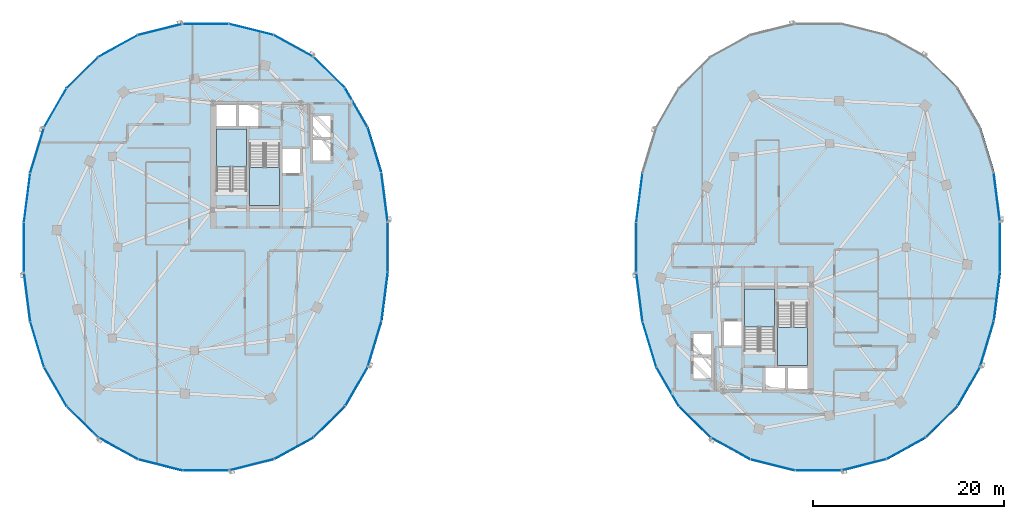
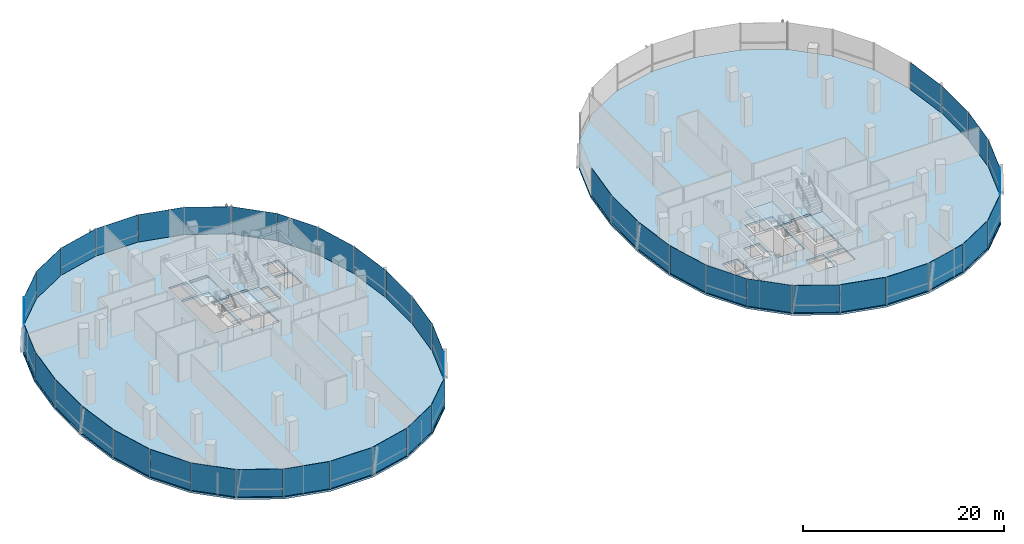
# One storey, part 10 of 22: 45 plates, 6 slabs, 12 elements without a shape of their own.
"""IFC4 building model written with IfcOpenShell, lengths in metres."""

from ifc_helpers import new_model, si_unit, direction, frame, origin, origin_2d, place, context, subcontext, project, spatial, polyline, rectangle, outline, extrude, material, layer, layer_set, type_object, element, aggregate, save


model = new_model("IFC4")

# Units and contexts
model_context = context("Model", 3, precision=1e-05, world=origin(), true_north=direction((0.0, 1.0)))
body_context = subcontext(model_context, "Body", "Model", "MODEL_VIEW")
ifc_project = project(units=[si_unit("LENGTHUNIT", "METRE"), si_unit("AREAUNIT", "SQUARE_METRE"), si_unit("VOLUMEUNIT", "CUBIC_METRE"), si_unit("PLANEANGLEUNIT", "RADIAN"), si_unit("MASSUNIT", "GRAM", prefix="KILO"), si_unit("THERMODYNAMICTEMPERATUREUNIT", "KELVIN"), si_unit("POWERUNIT", "WATT")], contexts=[model_context])

# Site, building, storey
site_placement = place(None, origin())
site = spatial("IfcSite", under=ifc_project, at=site_placement, CompositionType="ELEMENT")
building_placement = place(site_placement, origin())
building = spatial("IfcBuilding", under=site, at=building_placement, Name="Cundina Bronze Exchange", CompositionType="ELEMENT")
storey_placement = place(building_placement, frame((0.0, 0.0, 144.0)))
storey = spatial("IfcBuildingStorey", under=building, at=storey_placement, Name="L37", CompositionType="ELEMENT", Elevation=144.0)

# Curtain wall, plates
ifc_material_1 = material(Name="Anodised Bronze Aluminium 6063-T6", Category="aluminium")
curtain_wall_type = type_object("IfcCurtainWallType", Name="CWS-WST-PIN", PredefinedType="NOTDEFINED", material=ifc_material_1)
curtain_wall_1_placement = place(storey_placement, origin())
curtain_wall_1 = element("IfcCurtainWall", 1, at=curtain_wall_1_placement, inside=storey, type_object=curtain_wall_type, Name="L37 CW-04 Curtain Wall Run CWR-L37-W1", PredefinedType="NOTDEFINED")
ifc_material_2 = material(Name="Heat-Strengthened Solar-Control Bronze Safety Glass 28mm", Category="glass")
ifc_layer_1 = layer(ifc_material_2, 0.028076171875, Name="Heat-Strengthened Solar-Control Bronze Safety Glass 28mm", Category="glass")
ifc_layer_set_1 = layer_set([ifc_layer_1], Name="Heat-Strengthened Solar-Control Bronze Safety Glass 28mm")
plate_type_1 = type_object("IfcPlateType", Name="PLT-GLZ-VIS28", PredefinedType="CURTAIN_PANEL", material=ifc_layer_set_1)
plate_1_placement = place(storey_placement, frame((-13.320556640625, 5.2041015625, 0.02001953125), z_axis=(0.0, 0.0, 1.0), x_axis=(-0.126475984253, 0.9919696696, 0.0)))
plate_1 = element("IfcPlate", 2, at=plate_1_placement, type_object=plate_type_1, Name="CW-04 Glazed Panel 1", PredefinedType="CURTAIN_PANEL", context=body_context, shape_type="SweptSolid", body=[
    extrude(rectangle(XDim=5.104736328125, YDim=0.028076171875, at=origin_2d()), origin(), (0.0, 0.0, 1.0), 3.320068359375),
])
plate_2_placement = place(storey_placement, frame((-14.36669921875, 10.14208984375, 0.02001953125), z_axis=(0.0, 0.0, 1.0), x_axis=(-0.290050843957, 0.957011237092, 0.0)))
plate_2 = element("IfcPlate", 3, at=plate_2_placement, type_object=plate_type_1, Name="CW-04 Glazed Panel 2", PredefinedType="CURTAIN_PANEL", context=body_context, shape_type="SweptSolid", body=[
    extrude(rectangle(XDim=4.885009765625, YDim=0.028076171875, at=origin_2d()), origin(), (0.0, 0.0, 1.0), 3.320068359375),
])
plate_3_placement = place(storey_placement, frame((-19.105224609375, 18.253662109375, 0.02001953125), z_axis=(0.0, 0.0, 1.0), x_axis=(-0.711989280367, 0.702190333629, 0.0)))
plate_3 = element("IfcPlate", 4, at=plate_3_placement, type_object=plate_type_1, Name="CW-04 Glazed Panel 4", PredefinedType="CURTAIN_PANEL", context=body_context, shape_type="SweptSolid", body=[
    extrude(rectangle(XDim=4.6025390625, YDim=0.028076171875, at=origin_2d()), origin(), (0.0, 0.0, 1.0), 3.320068359375),
])
plate_4_placement = place(storey_placement, frame((-22.83154296875, 21.02880859375, 0.02001953125), z_axis=(0.0, 0.0, 1.0), x_axis=(-0.875869093438, 0.482548786301, 0.0)))
plate_4 = element("IfcPlate", 5, at=plate_4_placement, type_object=plate_type_1, Name="CW-04 Glazed Panel 5", PredefinedType="CURTAIN_PANEL", context=body_context, shape_type="SweptSolid", body=[
    extrude(rectangle(XDim=4.661865234375, YDim=0.028076171875, at=origin_2d()), origin(), (0.0, 0.0, 1.0), 3.320068359375),
])
plate_5_placement = place(storey_placement, frame((-27.23486328125, 22.75244140625, 0.02001953125), z_axis=(0.0, 0.0, 1.0), x_axis=(-0.970092713791, 0.242734683656, 0.0)))
plate_5 = element("IfcPlate", 6, at=plate_5_placement, type_object=plate_type_1, Name="CW-04 Glazed Panel 6", PredefinedType="CURTAIN_PANEL", context=body_context, shape_type="SweptSolid", body=[
    extrude(rectangle(XDim=4.7548828125, YDim=0.028076171875, at=origin_2d()), origin(), (0.0, 0.0, 1.0), 3.320068359375),
])
plate_6_placement = place(storey_placement, frame((-32.0, 23.3369140625, 0.02001953125), z_axis=(0.0, 0.0, 1.0), x_axis=(-1.0, 0.0, 0.0)))
plate_6 = element("IfcPlate", 7, at=plate_6_placement, type_object=plate_type_1, Name="CW-04 Glazed Panel 7", PredefinedType="CURTAIN_PANEL", context=body_context, shape_type="SweptSolid", body=[
    extrude(rectangle(XDim=4.7958984375, YDim=0.028076171875, at=origin_2d()), origin(), (0.0, 0.0, 1.0), 3.320068359375),
])

curtain_wall_2_placement = place(storey_placement, origin())
curtain_wall_2 = element("IfcCurtainWall", 8, at=curtain_wall_2_placement, inside=storey, type_object=curtain_wall_type, Name="L37 CW-04 Curtain Wall Run CWR-L37-W2", PredefinedType="NOTDEFINED")
plate_7_placement = place(storey_placement, frame((-36.76513671875, 22.75244140625, 0.02001953125), z_axis=(0.0, 0.0, 1.0), x_axis=(-0.970092713791, -0.242734683656, 0.0)))
plate_7 = element("IfcPlate", 9, at=plate_7_placement, type_object=plate_type_1, Name="CW-04 Glazed Panel 1", PredefinedType="CURTAIN_PANEL", context=body_context, shape_type="SweptSolid", body=[
    extrude(rectangle(XDim=4.7548828125, YDim=0.028076171875, at=origin_2d()), origin(), (0.0, 0.0, 1.0), 3.320068359375),
])
plate_8_placement = place(storey_placement, frame((-44.894775390625, 18.253662109375, 0.02001953125), z_axis=(0.0, 0.0, 1.0), x_axis=(-0.711989280367, -0.702190333629, 0.0)))
plate_8 = element("IfcPlate", 10, at=plate_8_placement, type_object=plate_type_1, Name="CW-04 Glazed Panel 3", PredefinedType="CURTAIN_PANEL", context=body_context, shape_type="SweptSolid", body=[
    extrude(rectangle(XDim=4.6025390625, YDim=0.028076171875, at=origin_2d()), origin(), (0.0, 0.0, 1.0), 3.320068359375),
])
plate_9_placement = place(storey_placement, frame((-47.734375, 14.564697265625, 0.02001953125), z_axis=(0.0, 0.0, 1.0), x_axis=(-0.498487739754, -0.866896748936, 0.0)))
plate_9 = element("IfcPlate", 11, at=plate_9_placement, type_object=plate_type_1, Name="CW-04 Glazed Panel 4", PredefinedType="CURTAIN_PANEL", context=body_context, shape_type="SweptSolid", body=[
    extrude(rectangle(XDim=4.676513671875, YDim=0.028076171875, at=origin_2d()), origin(), (0.0, 0.0, 1.0), 3.320068359375),
])
plate_10_placement = place(storey_placement, frame((-49.63330078125, 10.14208984375, 0.02001953125), z_axis=(0.0, 0.0, 1.0), x_axis=(-0.290050843957, -0.957011237092, 0.0)))
plate_10 = element("IfcPlate", 12, at=plate_10_placement, type_object=plate_type_1, Name="CW-04 Glazed Panel 5", PredefinedType="CURTAIN_PANEL", context=body_context, shape_type="SweptSolid", body=[
    extrude(rectangle(XDim=4.885009765625, YDim=0.028076171875, at=origin_2d()), origin(), (0.0, 0.0, 1.0), 3.320068359375),
])
plate_11_placement = place(storey_placement, frame((-50.679443359375, 5.2041015625, 0.02001953125), z_axis=(0.0, 0.0, 1.0), x_axis=(-0.126475984253, -0.9919696696, 0.0)))
plate_11 = element("IfcPlate", 13, at=plate_11_placement, type_object=plate_type_1, Name="CW-04 Glazed Panel 6", PredefinedType="CURTAIN_PANEL", context=body_context, shape_type="SweptSolid", body=[
    extrude(rectangle(XDim=5.104736328125, YDim=0.028076171875, at=origin_2d()), origin(), (0.0, 0.0, 1.0), 3.320068359375),
])

curtain_wall_3_placement = place(storey_placement, origin())
curtain_wall_3 = element("IfcCurtainWall", 14, at=curtain_wall_3_placement, inside=storey, type_object=curtain_wall_type, Name="L37 CW-04 Curtain Wall Run CWR-L37-W3", PredefinedType="NOTDEFINED")
plate_12_placement = place(storey_placement, frame((-49.63330078125, -10.14208984375, 0.02001953125), z_axis=(0.0, 0.0, 1.0), x_axis=(0.290050843957, -0.957011237092, 0.0)))
plate_12 = element("IfcPlate", 15, at=plate_12_placement, type_object=plate_type_1, Name="CW-04 Glazed Panel 2", PredefinedType="CURTAIN_PANEL", context=body_context, shape_type="SweptSolid", body=[
    extrude(rectangle(XDim=4.885009765625, YDim=0.028076171875, at=origin_2d()), origin(), (0.0, 0.0, 1.0), 3.320068359375),
])
plate_13_placement = place(storey_placement, frame((-47.734375, -14.564697265625, 0.02001953125), z_axis=(0.0, 0.0, 1.0), x_axis=(0.498487739754, -0.866896748936, 0.0)))
plate_13 = element("IfcPlate", 16, at=plate_13_placement, type_object=plate_type_1, Name="CW-04 Glazed Panel 3", PredefinedType="CURTAIN_PANEL", context=body_context, shape_type="SweptSolid", body=[
    extrude(rectangle(XDim=4.676513671875, YDim=0.028076171875, at=origin_2d()), origin(), (0.0, 0.0, 1.0), 3.320068359375),
])
plate_14_placement = place(storey_placement, frame((-44.894775390625, -18.253662109375, 0.02001953125), z_axis=(0.0, 0.0, 1.0), x_axis=(0.711989280367, -0.702190333629, 0.0)))
plate_14 = element("IfcPlate", 17, at=plate_14_placement, type_object=plate_type_1, Name="CW-04 Glazed Panel 4", PredefinedType="CURTAIN_PANEL", context=body_context, shape_type="SweptSolid", body=[
    extrude(rectangle(XDim=4.6025390625, YDim=0.028076171875, at=origin_2d()), origin(), (0.0, 0.0, 1.0), 3.320068359375),
])
plate_15_placement = place(storey_placement, frame((-41.16845703125, -21.02880859375, 0.02001953125), z_axis=(0.0, 0.0, 1.0), x_axis=(0.875869093438, -0.482548786301, 0.0)))
plate_15 = element("IfcPlate", 18, at=plate_15_placement, type_object=plate_type_1, Name="CW-04 Glazed Panel 5", PredefinedType="CURTAIN_PANEL", context=body_context, shape_type="SweptSolid", body=[
    extrude(rectangle(XDim=4.661865234375, YDim=0.028076171875, at=origin_2d()), origin(), (0.0, 0.0, 1.0), 3.320068359375),
])
plate_16_placement = place(storey_placement, frame((-32.0, -23.3369140625, 0.02001953125), z_axis=(0.0, 0.0, 1.0), x_axis=(1.0, 0.0, 0.0)))
plate_16 = element("IfcPlate", 19, at=plate_16_placement, type_object=plate_type_1, Name="CW-04 Glazed Panel 7", PredefinedType="CURTAIN_PANEL", context=body_context, shape_type="SweptSolid", body=[
    extrude(rectangle(XDim=4.7958984375, YDim=0.028076171875, at=origin_2d()), origin(), (0.0, 0.0, 1.0), 3.320068359375),
])

curtain_wall_4_placement = place(storey_placement, origin())
curtain_wall_4 = element("IfcCurtainWall", 20, at=curtain_wall_4_placement, inside=storey, type_object=curtain_wall_type, Name="L37 CW-04 Curtain Wall Run CWR-L37-W4", PredefinedType="NOTDEFINED")
plate_17_placement = place(storey_placement, frame((-27.23486328125, -22.75244140625, 0.02001953125), z_axis=(0.0, 0.0, 1.0), x_axis=(0.970092713791, 0.242734683656, 0.0)))
plate_17 = element("IfcPlate", 21, at=plate_17_placement, type_object=plate_type_1, Name="CW-04 Glazed Panel 1", PredefinedType="CURTAIN_PANEL", context=body_context, shape_type="SweptSolid", body=[
    extrude(rectangle(XDim=4.7548828125, YDim=0.028076171875, at=origin_2d()), origin(), (0.0, 0.0, 1.0), 3.320068359375),
])
plate_18_placement = place(storey_placement, frame((-22.83154296875, -21.02880859375, 0.02001953125), z_axis=(0.0, 0.0, 1.0), x_axis=(0.875869093438, 0.482548786301, 0.0)))
plate_18 = element("IfcPlate", 22, at=plate_18_placement, type_object=plate_type_1, Name="CW-04 Glazed Panel 2", PredefinedType="CURTAIN_PANEL", context=body_context, shape_type="SweptSolid", body=[
    extrude(rectangle(XDim=4.661865234375, YDim=0.028076171875, at=origin_2d()), origin(), (0.0, 0.0, 1.0), 3.320068359375),
])
plate_19_placement = place(storey_placement, frame((-19.105224609375, -18.253662109375, 0.02001953125), z_axis=(0.0, 0.0, 1.0), x_axis=(0.711989280367, 0.702190333629, 0.0)))
plate_19 = element("IfcPlate", 23, at=plate_19_placement, type_object=plate_type_1, Name="CW-04 Glazed Panel 3", PredefinedType="CURTAIN_PANEL", context=body_context, shape_type="SweptSolid", body=[
    extrude(rectangle(XDim=4.6025390625, YDim=0.028076171875, at=origin_2d()), origin(), (0.0, 0.0, 1.0), 3.320068359375),
])
plate_20_placement = place(storey_placement, frame((-16.265625, -14.564697265625, 0.02001953125), z_axis=(0.0, 0.0, 1.0), x_axis=(0.498487739754, 0.866896748936, 0.0)))
plate_20 = element("IfcPlate", 24, at=plate_20_placement, type_object=plate_type_1, Name="CW-04 Glazed Panel 4", PredefinedType="CURTAIN_PANEL", context=body_context, shape_type="SweptSolid", body=[
    extrude(rectangle(XDim=4.676513671875, YDim=0.028076171875, at=origin_2d()), origin(), (0.0, 0.0, 1.0), 3.320068359375),
])
plate_21_placement = place(storey_placement, frame((-13.320556640625, -5.2041015625, 0.02001953125), z_axis=(0.0, 0.0, 1.0), x_axis=(0.126475984253, 0.9919696696, 0.0)))
plate_21 = element("IfcPlate", 25, at=plate_21_placement, type_object=plate_type_1, Name="CW-04 Glazed Panel 6", PredefinedType="CURTAIN_PANEL", context=body_context, shape_type="SweptSolid", body=[
    extrude(rectangle(XDim=5.104736328125, YDim=0.028076171875, at=origin_2d()), origin(), (0.0, 0.0, 1.0), 3.320068359375),
])
plate_22_placement = place(storey_placement, frame((-12.992919921875, 0.0, 0.02001953125), z_axis=(0.0, 0.0, 1.0), x_axis=(0.0, 1.0, 0.0)))
plate_22 = element("IfcPlate", 26, at=plate_22_placement, type_object=plate_type_1, Name="CW-04 Glazed Panel 7", PredefinedType="CURTAIN_PANEL", context=body_context, shape_type="SweptSolid", body=[
    extrude(rectangle(XDim=5.194091796875, YDim=0.028076171875, at=origin_2d()), origin(), (0.0, 0.0, 1.0), 3.320068359375),
])

# Curtain wall, plate
curtain_wall_5_placement = place(storey_placement, origin())
curtain_wall_5 = element("IfcCurtainWall", 27, at=curtain_wall_5_placement, inside=storey, type_object=curtain_wall_type, Name="L37 CW-04 Curtain Wall Run CWR-L37-E1", PredefinedType="NOTDEFINED")
plate_23_placement = place(storey_placement, frame((50.679443359375, 5.2041015625, 0.02001953125), z_axis=(0.0, 0.0, 1.0), x_axis=(-0.126475984253, 0.9919696696, 0.0)))
plate_23 = element("IfcPlate", 28, at=plate_23_placement, type_object=plate_type_1, Name="CW-04 Glazed Panel 1", PredefinedType="CURTAIN_PANEL", context=body_context, shape_type="SweptSolid", body=[
    extrude(rectangle(XDim=5.104736328125, YDim=0.028076171875, at=origin_2d()), origin(), (0.0, 0.0, 1.0), 3.320068359375),
])
aggregate(curtain_wall_5, [plate_23])

curtain_wall_6_placement = place(storey_placement, origin())
curtain_wall_6 = element("IfcCurtainWall", 29, at=curtain_wall_6_placement, inside=storey, type_object=curtain_wall_type, Name="L37 CW-04 Curtain Wall Run CWR-L37-E2", PredefinedType="NOTDEFINED")
plate_24_placement = place(storey_placement, frame((13.320556640625, 5.2041015625, 0.02001953125), z_axis=(0.0, 0.0, 1.0), x_axis=(-0.126475984253, -0.9919696696, 0.0)))
plate_24 = element("IfcPlate", 30, at=plate_24_placement, type_object=plate_type_1, Name="CW-04 Glazed Panel 6", PredefinedType="CURTAIN_PANEL", context=body_context, shape_type="SweptSolid", body=[
    extrude(rectangle(XDim=5.104736328125, YDim=0.028076171875, at=origin_2d()), origin(), (0.0, 0.0, 1.0), 3.320068359375),
])

# Curtain wall, plates
curtain_wall_7_placement = place(storey_placement, origin())
curtain_wall_7 = element("IfcCurtainWall", 31, at=curtain_wall_7_placement, inside=storey, type_object=curtain_wall_type, Name="L37 CW-04 Curtain Wall Run CWR-L37-E3", PredefinedType="NOTDEFINED")
plate_25_placement = place(storey_placement, frame((14.36669921875, -10.14208984375, 0.02001953125), z_axis=(0.0, 0.0, 1.0), x_axis=(0.290050843957, -0.957011237092, 0.0)))
plate_25 = element("IfcPlate", 32, at=plate_25_placement, type_object=plate_type_1, Name="CW-04 Glazed Panel 2", PredefinedType="CURTAIN_PANEL", context=body_context, shape_type="SweptSolid", body=[
    extrude(rectangle(XDim=4.885009765625, YDim=0.028076171875, at=origin_2d()), origin(), (0.0, 0.0, 1.0), 3.320068359375),
])
plate_26_placement = place(storey_placement, frame((16.265625, -14.564697265625, 0.02001953125), z_axis=(0.0, 0.0, 1.0), x_axis=(0.498487739754, -0.866896748936, 0.0)))
plate_26 = element("IfcPlate", 33, at=plate_26_placement, type_object=plate_type_1, Name="CW-04 Glazed Panel 3", PredefinedType="CURTAIN_PANEL", context=body_context, shape_type="SweptSolid", body=[
    extrude(rectangle(XDim=4.676513671875, YDim=0.028076171875, at=origin_2d()), origin(), (0.0, 0.0, 1.0), 3.320068359375),
])
plate_27_placement = place(storey_placement, frame((19.105224609375, -18.253662109375, 0.02001953125), z_axis=(0.0, 0.0, 1.0), x_axis=(0.711989280367, -0.702190333629, 0.0)))
plate_27 = element("IfcPlate", 34, at=plate_27_placement, type_object=plate_type_1, Name="CW-04 Glazed Panel 4", PredefinedType="CURTAIN_PANEL", context=body_context, shape_type="SweptSolid", body=[
    extrude(rectangle(XDim=4.6025390625, YDim=0.028076171875, at=origin_2d()), origin(), (0.0, 0.0, 1.0), 3.320068359375),
])
plate_28_placement = place(storey_placement, frame((22.83154296875, -21.02880859375, 0.02001953125), z_axis=(0.0, 0.0, 1.0), x_axis=(0.875869093438, -0.482548786301, 0.0)))
plate_28 = element("IfcPlate", 35, at=plate_28_placement, type_object=plate_type_1, Name="CW-04 Glazed Panel 5", PredefinedType="CURTAIN_PANEL", context=body_context, shape_type="SweptSolid", body=[
    extrude(rectangle(XDim=4.661865234375, YDim=0.028076171875, at=origin_2d()), origin(), (0.0, 0.0, 1.0), 3.320068359375),
])
plate_29_placement = place(storey_placement, frame((32.0, -23.3369140625, 0.02001953125), z_axis=(0.0, 0.0, 1.0), x_axis=(1.0, 0.0, 0.0)))
plate_29 = element("IfcPlate", 36, at=plate_29_placement, type_object=plate_type_1, Name="CW-04 Glazed Panel 7", PredefinedType="CURTAIN_PANEL", context=body_context, shape_type="SweptSolid", body=[
    extrude(rectangle(XDim=4.7958984375, YDim=0.028076171875, at=origin_2d()), origin(), (0.0, 0.0, 1.0), 3.320068359375),
])

curtain_wall_8_placement = place(storey_placement, origin())
curtain_wall_8 = element("IfcCurtainWall", 37, at=curtain_wall_8_placement, inside=storey, type_object=curtain_wall_type, Name="L37 CW-04 Curtain Wall Run CWR-L37-E4", PredefinedType="NOTDEFINED")
plate_30_placement = place(storey_placement, frame((36.76513671875, -22.75244140625, 0.02001953125), z_axis=(0.0, 0.0, 1.0), x_axis=(0.970092713791, 0.242734683656, 0.0)))
plate_30 = element("IfcPlate", 38, at=plate_30_placement, type_object=plate_type_1, Name="CW-04 Glazed Panel 1", PredefinedType="CURTAIN_PANEL", context=body_context, shape_type="SweptSolid", body=[
    extrude(rectangle(XDim=4.7548828125, YDim=0.028076171875, at=origin_2d()), origin(), (0.0, 0.0, 1.0), 3.320068359375),
])
plate_31_placement = place(storey_placement, frame((41.16845703125, -21.02880859375, 0.02001953125), z_axis=(0.0, 0.0, 1.0), x_axis=(0.875869093438, 0.482548786301, 0.0)))
plate_31 = element("IfcPlate", 39, at=plate_31_placement, type_object=plate_type_1, Name="CW-04 Glazed Panel 2", PredefinedType="CURTAIN_PANEL", context=body_context, shape_type="SweptSolid", body=[
    extrude(rectangle(XDim=4.661865234375, YDim=0.028076171875, at=origin_2d()), origin(), (0.0, 0.0, 1.0), 3.320068359375),
])
plate_32_placement = place(storey_placement, frame((44.894775390625, -18.253662109375, 0.02001953125), z_axis=(0.0, 0.0, 1.0), x_axis=(0.711989280367, 0.702190333629, 0.0)))
plate_32 = element("IfcPlate", 40, at=plate_32_placement, type_object=plate_type_1, Name="CW-04 Glazed Panel 3", PredefinedType="CURTAIN_PANEL", context=body_context, shape_type="SweptSolid", body=[
    extrude(rectangle(XDim=4.6025390625, YDim=0.028076171875, at=origin_2d()), origin(), (0.0, 0.0, 1.0), 3.320068359375),
])
plate_33_placement = place(storey_placement, frame((47.734375, -14.564697265625, 0.02001953125), z_axis=(0.0, 0.0, 1.0), x_axis=(0.498487739754, 0.866896748936, 0.0)))
plate_33 = element("IfcPlate", 41, at=plate_33_placement, type_object=plate_type_1, Name="CW-04 Glazed Panel 4", PredefinedType="CURTAIN_PANEL", context=body_context, shape_type="SweptSolid", body=[
    extrude(rectangle(XDim=4.676513671875, YDim=0.028076171875, at=origin_2d()), origin(), (0.0, 0.0, 1.0), 3.320068359375),
])
plate_34_placement = place(storey_placement, frame((50.679443359375, -5.2041015625, 0.02001953125), z_axis=(0.0, 0.0, 1.0), x_axis=(0.126475984253, 0.9919696696, 0.0)))
plate_34 = element("IfcPlate", 42, at=plate_34_placement, type_object=plate_type_1, Name="CW-04 Glazed Panel 6", PredefinedType="CURTAIN_PANEL", context=body_context, shape_type="SweptSolid", body=[
    extrude(rectangle(XDim=5.104736328125, YDim=0.028076171875, at=origin_2d()), origin(), (0.0, 0.0, 1.0), 3.320068359375),
])
plate_35_placement = place(storey_placement, frame((51.007080078125, 0.0, 0.02001953125), z_axis=(0.0, 0.0, 1.0), x_axis=(0.0, 1.0, 0.0)))
plate_35 = element("IfcPlate", 43, at=plate_35_placement, type_object=plate_type_1, Name="CW-04 Glazed Panel 7", PredefinedType="CURTAIN_PANEL", context=body_context, shape_type="SweptSolid", body=[
    extrude(rectangle(XDim=5.194091796875, YDim=0.028076171875, at=origin_2d()), origin(), (0.0, 0.0, 1.0), 3.320068359375),
])

# Plate
ifc_material_3 = material(Name="Dark Bronze Spandrel Glass Panel 32mm", Category="glass")
ifc_layer_2 = layer(ifc_material_3, 0.031982421875, Name="Dark Bronze Spandrel Glass Panel 32mm", Category="glass")
ifc_layer_set_2 = layer_set([ifc_layer_2], Name="Dark Bronze Spandrel Glass Panel 32mm")
plate_type_2 = type_object("IfcPlateType", Name="PLT-SPN-BRZ32", PredefinedType="CURTAIN_PANEL", material=ifc_layer_set_2)
plate_36_placement = place(storey_placement, frame((-16.265625, 14.564697265625, 0.02001953125), z_axis=(0.0, 0.0, 1.0), x_axis=(-0.498487739754, 0.866896748936, 0.0)))
plate_36 = element("IfcPlate", 44, at=plate_36_placement, type_object=plate_type_2, Name="CW-04 Glazed Panel 3", PredefinedType="CURTAIN_PANEL", context=body_context, shape_type="SweptSolid", body=[
    extrude(rectangle(XDim=4.676513671875, YDim=0.031982421875, at=origin_2d()), origin(), (0.0, 0.0, 1.0), 3.320068359375),
])

aggregate(curtain_wall_1, [plate_1, plate_2, plate_36, plate_3, plate_4, plate_5, plate_6])

plate_37_placement = place(storey_placement, frame((-41.16845703125, 21.02880859375, 0.02001953125), z_axis=(0.0, 0.0, 1.0), x_axis=(-0.875869093438, -0.482548786301, 0.0)))
plate_37 = element("IfcPlate", 45, at=plate_37_placement, type_object=plate_type_2, Name="CW-04 Glazed Panel 2", PredefinedType="CURTAIN_PANEL", context=body_context, shape_type="SweptSolid", body=[
    extrude(rectangle(XDim=4.661865234375, YDim=0.031982421875, at=origin_2d()), origin(), (0.0, 0.0, 1.0), 3.320068359375),
])

plate_38_placement = place(storey_placement, frame((-51.007080078125, 0.0, 0.02001953125), z_axis=(0.0, 0.0, 1.0), x_axis=(0.0, -1.0, 0.0)))
plate_38 = element("IfcPlate", 46, at=plate_38_placement, type_object=plate_type_2, Name="CW-04 Glazed Panel 7", PredefinedType="CURTAIN_PANEL", context=body_context, shape_type="SweptSolid", body=[
    extrude(rectangle(XDim=5.194091796875, YDim=0.031982421875, at=origin_2d()), origin(), (0.0, 0.0, 1.0), 3.320068359375),
])

aggregate(curtain_wall_2, [plate_7, plate_37, plate_8, plate_9, plate_10, plate_11, plate_38])

plate_39_placement = place(storey_placement, frame((-50.679443359375, -5.2041015625, 0.02001953125), z_axis=(0.0, 0.0, 1.0), x_axis=(0.126475984253, -0.9919696696, 0.0)))
plate_39 = element("IfcPlate", 47, at=plate_39_placement, type_object=plate_type_2, Name="CW-04 Glazed Panel 1", PredefinedType="CURTAIN_PANEL", context=body_context, shape_type="SweptSolid", body=[
    extrude(rectangle(XDim=5.104736328125, YDim=0.031982421875, at=origin_2d()), origin(), (0.0, 0.0, 1.0), 3.320068359375),
])

plate_40_placement = place(storey_placement, frame((-36.76513671875, -22.75244140625, 0.02001953125), z_axis=(0.0, 0.0, 1.0), x_axis=(0.970092713791, -0.242734683656, 0.0)))
plate_40 = element("IfcPlate", 48, at=plate_40_placement, type_object=plate_type_2, Name="CW-04 Glazed Panel 6", PredefinedType="CURTAIN_PANEL", context=body_context, shape_type="SweptSolid", body=[
    extrude(rectangle(XDim=4.7548828125, YDim=0.031982421875, at=origin_2d()), origin(), (0.0, 0.0, 1.0), 3.320068359375),
])

aggregate(curtain_wall_3, [plate_39, plate_12, plate_13, plate_14, plate_15, plate_40, plate_16])

plate_41_placement = place(storey_placement, frame((-14.36669921875, -10.14208984375, 0.02001953125), z_axis=(0.0, 0.0, 1.0), x_axis=(0.290050843957, 0.957011237092, 0.0)))
plate_41 = element("IfcPlate", 49, at=plate_41_placement, type_object=plate_type_2, Name="CW-04 Glazed Panel 5", PredefinedType="CURTAIN_PANEL", context=body_context, shape_type="SweptSolid", body=[
    extrude(rectangle(XDim=4.885009765625, YDim=0.031982421875, at=origin_2d()), origin(), (0.0, 0.0, 1.0), 3.320068359375),
])

aggregate(curtain_wall_4, [plate_17, plate_18, plate_19, plate_20, plate_41, plate_21, plate_22])

plate_42_placement = place(storey_placement, frame((12.992919921875, 0.0, 0.02001953125), z_axis=(0.0, 0.0, 1.0), x_axis=(0.0, -1.0, 0.0)))
plate_42 = element("IfcPlate", 50, at=plate_42_placement, type_object=plate_type_2, Name="CW-04 Glazed Panel 7", PredefinedType="CURTAIN_PANEL", context=body_context, shape_type="SweptSolid", body=[
    extrude(rectangle(XDim=5.194091796875, YDim=0.031982421875, at=origin_2d()), origin(), (0.0, 0.0, 1.0), 3.320068359375),
])

aggregate(curtain_wall_6, [plate_24, plate_42])

plate_43_placement = place(storey_placement, frame((13.320556640625, -5.2041015625, 0.02001953125), z_axis=(0.0, 0.0, 1.0), x_axis=(0.126475984253, -0.9919696696, 0.0)))
plate_43 = element("IfcPlate", 51, at=plate_43_placement, type_object=plate_type_2, Name="CW-04 Glazed Panel 1", PredefinedType="CURTAIN_PANEL", context=body_context, shape_type="SweptSolid", body=[
    extrude(rectangle(XDim=5.104736328125, YDim=0.031982421875, at=origin_2d()), origin(), (0.0, 0.0, 1.0), 3.320068359375),
])

plate_44_placement = place(storey_placement, frame((27.23486328125, -22.75244140625, 0.02001953125), z_axis=(0.0, 0.0, 1.0), x_axis=(0.970092713791, -0.242734683656, 0.0)))
plate_44 = element("IfcPlate", 52, at=plate_44_placement, type_object=plate_type_2, Name="CW-04 Glazed Panel 6", PredefinedType="CURTAIN_PANEL", context=body_context, shape_type="SweptSolid", body=[
    extrude(rectangle(XDim=4.7548828125, YDim=0.031982421875, at=origin_2d()), origin(), (0.0, 0.0, 1.0), 3.320068359375),
])

aggregate(curtain_wall_7, [plate_43, plate_25, plate_26, plate_27, plate_28, plate_44, plate_29])

plate_45_placement = place(storey_placement, frame((49.63330078125, -10.14208984375, 0.02001953125), z_axis=(0.0, 0.0, 1.0), x_axis=(0.290050843957, 0.957011237092, 0.0)))
plate_45 = element("IfcPlate", 53, at=plate_45_placement, type_object=plate_type_2, Name="CW-04 Glazed Panel 5", PredefinedType="CURTAIN_PANEL", context=body_context, shape_type="SweptSolid", body=[
    extrude(rectangle(XDim=4.885009765625, YDim=0.031982421875, at=origin_2d()), origin(), (0.0, 0.0, 1.0), 3.320068359375),
])

aggregate(curtain_wall_8, [plate_30, plate_31, plate_32, plate_33, plate_45, plate_34, plate_35])

# Stair, slab
ifc_material_4 = material(Name="Concrete C40/50", Category="concrete")
stair_type = type_object("IfcStairType", Name="STR-OFF-360", PredefinedType="HALF_TURN_STAIR", material=ifc_material_4)
stair_1_placement = place(storey_placement, origin())
stair_1 = element("IfcStair", 54, at=stair_1_placement, inside=storey, type_object=stair_type, Name="L37 Smokeproof Exit Stair W1", PredefinedType="HALF_TURN_STAIR")
ifc_layer_3 = layer(ifc_material_4, 0.199951171875, Name="Concrete C40/50", Category="concrete")
ifc_layer_set_3 = layer_set([ifc_layer_3], Name="Concrete C40/50")
slab_type_1 = type_object("IfcSlabType", Name="SLB-LND-200", PredefinedType="LANDING", material=ifc_layer_set_3)
slab_1_placement = place(storey_placement, frame((0.0, 0.0, 1.60009765625)))
slab_1 = element("IfcSlab", 55, at=slab_1_placement, type_object=slab_type_1, Name="ST-W1 landing 1", PredefinedType="LANDING", context=body_context, shape_type="SweptSolid", body=[
    extrude(outline(polyline([(-27.739990234375, 8.3701171875), (-27.739990234375, 12.35009765625), (-30.89990234375, 12.35009765625), (-30.89990234375, 8.3701171875), (-27.739990234375, 8.3701171875)])), origin(), (0.0, 0.0, 1.0), 0.199951171875),
])
aggregate(stair_1, [slab_1])

stair_2_placement = place(storey_placement, origin())
stair_2 = element("IfcStair", 56, at=stair_2_placement, inside=storey, type_object=stair_type, Name="L37 Smokeproof Exit Stair W2", PredefinedType="HALF_TURN_STAIR")
slab_2_placement = place(storey_placement, frame((0.0, 0.0, 1.60009765625)))
slab_2 = element("IfcSlab", 57, at=slab_2_placement, type_object=slab_type_1, Name="ST-W2 landing 1", PredefinedType="LANDING", context=body_context, shape_type="SweptSolid", body=[
    extrude(outline(polyline([(-27.43994140625, 8.330078125), (-27.43994140625, 4.35009765625), (-24.280029296875, 4.35009765625), (-24.280029296875, 8.330078125), (-27.43994140625, 8.330078125)])), origin(), (0.0, 0.0, 1.0), 0.199951171875),
])
aggregate(stair_2, [slab_2])

stair_3_placement = place(storey_placement, origin())
stair_3 = element("IfcStair", 58, at=stair_3_placement, inside=storey, type_object=stair_type, Name="L37 Smokeproof Exit Stair E1", PredefinedType="HALF_TURN_STAIR")
slab_3_placement = place(storey_placement, frame((0.0, 0.0, 1.60009765625)))
slab_3 = element("IfcSlab", 59, at=slab_3_placement, type_object=slab_type_1, Name="ST-E1 landing 1", PredefinedType="LANDING", context=body_context, shape_type="SweptSolid", body=[
    extrude(outline(polyline([(27.739990234375, -8.3701171875), (27.739990234375, -12.35009765625), (30.89990234375, -12.35009765625), (30.89990234375, -8.3701171875), (27.739990234375, -8.3701171875)])), origin(), (0.0, 0.0, 1.0), 0.199951171875),
])
aggregate(stair_3, [slab_3])

stair_4_placement = place(storey_placement, origin())
stair_4 = element("IfcStair", 60, at=stair_4_placement, inside=storey, type_object=stair_type, Name="L37 Smokeproof Exit Stair E2", PredefinedType="HALF_TURN_STAIR")
slab_4_placement = place(storey_placement, frame((0.0, 0.0, 1.60009765625)))
slab_4 = element("IfcSlab", 61, at=slab_4_placement, type_object=slab_type_1, Name="ST-E2 landing 1", PredefinedType="LANDING", context=body_context, shape_type="SweptSolid", body=[
    extrude(outline(polyline([(27.43994140625, -8.330078125), (27.43994140625, -4.35009765625), (24.280029296875, -4.35009765625), (24.280029296875, -8.330078125), (27.43994140625, -8.330078125)])), origin(), (0.0, 0.0, 1.0), 0.199951171875),
])
aggregate(stair_4, [slab_4])

# Slabs
ifc_material_5 = material(Name="Concrete C50/60", Category="concrete")
ifc_layer_4 = layer(ifc_material_5, 0.239990234375, Name="Concrete C50/60", Category="concrete")
ifc_layer_set_4 = layer_set([ifc_layer_4], Name="Concrete C50/60")
slab_type_2 = type_object("IfcSlabType", Name="SLB-WST-240", PredefinedType="FLOOR", material=ifc_layer_set_4)
slab_5_placement = place(storey_placement, frame((0.0, 0.0, -0.239990234375)))
element("IfcSlab", 62, at=slab_5_placement, inside=storey, type_object=slab_type_2, Name="L37 Leg W Structural Floor Slab", PredefinedType="FLOOR", context=body_context, shape_type="SweptSolid", body=[
    extrude(outline(polyline([(-12.8779296875, 2.64208984375), (-13.534912109375, 7.794921875), (-14.97802734375, 12.555908203125), (-17.35400390625, 16.68798828125), (-20.695068359375, 19.98291015625), (-24.85693359375, 22.27587890625), (-29.556884765625, 23.451904296875), (-34.443115234375, 23.451904296875), (-39.14306640625, 22.27587890625), (-43.304931640625, 19.98291015625), (-46.64599609375, 16.68798828125), (-49.02197265625, 12.555908203125), (-50.465087890625, 7.794921875), (-51.1220703125, 2.64208984375), (-51.1220703125, -2.64208984375), (-50.465087890625, -7.794921875), (-49.02197265625, -12.555908203125), (-46.64599609375, -16.68798828125), (-43.304931640625, -19.98291015625), (-39.14306640625, -22.27587890625), (-34.443115234375, -23.451904296875), (-29.556884765625, -23.451904296875), (-24.85693359375, -22.27587890625), (-20.695068359375, -19.98291015625), (-17.35400390625, -16.68798828125), (-14.97802734375, -12.555908203125), (-13.534912109375, -7.794921875), (-12.8779296875, -2.64208984375), (-12.8779296875, 2.64208984375)]), holes=[polyline([(-27.739990234375, 5.85009765625), (-27.739990234375, 12.35009765625), (-30.89990234375, 12.35009765625), (-30.89990234375, 5.85009765625), (-27.739990234375, 5.85009765625)]), polyline([(-27.43994140625, 10.85009765625), (-27.43994140625, 4.35009765625), (-24.280029296875, 4.35009765625), (-24.280029296875, 10.85009765625), (-27.43994140625, 10.85009765625)]), polyline([(-23.97998046875, 10.25), (-22.179931640625, 10.25), (-22.179931640625, 7.75), (-23.97998046875, 7.75), (-23.97998046875, 10.25)]), polyline([(-30.89990234375, 14.949951171875), (-28.85009765625, 14.949951171875), (-28.85009765625, 12.64990234375), (-30.89990234375, 12.64990234375), (-30.89990234375, 14.949951171875)]), polyline([(-28.550048828125, 14.949951171875), (-26.5, 14.949951171875), (-26.5, 12.64990234375), (-28.550048828125, 12.64990234375), (-28.550048828125, 14.949951171875)]), polyline([(-20.800048828125, 13.699951171875), (-18.949951171875, 13.699951171875), (-18.949951171875, 11.449951171875), (-20.800048828125, 11.449951171875), (-20.800048828125, 13.699951171875)]), polyline([(-20.800048828125, 11.300048828125), (-18.949951171875, 11.300048828125), (-18.949951171875, 9.050048828125), (-20.800048828125, 9.050048828125), (-20.800048828125, 11.300048828125)])]), origin(), (0.0, 0.0, 1.0), 0.239990234375),
])
slab_6_placement = place(storey_placement, frame((0.0, 0.0, -0.239990234375)))
element("IfcSlab", 63, at=slab_6_placement, inside=storey, type_object=slab_type_2, Name="L37 Leg E Structural Floor Slab", PredefinedType="FLOOR", context=body_context, shape_type="SweptSolid", body=[
    extrude(outline(polyline([(51.1220703125, 2.64208984375), (50.465087890625, 7.794921875), (49.02197265625, 12.555908203125), (46.64599609375, 16.68798828125), (43.304931640625, 19.98291015625), (39.14306640625, 22.27587890625), (34.443115234375, 23.451904296875), (29.556884765625, 23.451904296875), (24.85693359375, 22.27587890625), (20.695068359375, 19.98291015625), (17.35400390625, 16.68798828125), (14.97802734375, 12.555908203125), (13.534912109375, 7.794921875), (12.8779296875, 2.64208984375), (12.8779296875, -2.64208984375), (13.534912109375, -7.794921875), (14.97802734375, -12.555908203125), (17.35400390625, -16.68798828125), (20.695068359375, -19.98291015625), (24.85693359375, -22.27587890625), (29.556884765625, -23.451904296875), (34.443115234375, -23.451904296875), (39.14306640625, -22.27587890625), (43.304931640625, -19.98291015625), (46.64599609375, -16.68798828125), (49.02197265625, -12.555908203125), (50.465087890625, -7.794921875), (51.1220703125, -2.64208984375), (51.1220703125, 2.64208984375)]), holes=[polyline([(27.739990234375, -5.85009765625), (27.739990234375, -12.35009765625), (30.89990234375, -12.35009765625), (30.89990234375, -5.85009765625), (27.739990234375, -5.85009765625)]), polyline([(27.43994140625, -10.85009765625), (27.43994140625, -4.35009765625), (24.280029296875, -4.35009765625), (24.280029296875, -10.85009765625), (27.43994140625, -10.85009765625)]), polyline([(22.179931640625, -7.75), (23.97998046875, -7.75), (23.97998046875, -10.25), (22.179931640625, -10.25), (22.179931640625, -7.75)]), polyline([(28.85009765625, -12.64990234375), (30.89990234375, -12.64990234375), (30.89990234375, -14.949951171875), (28.85009765625, -14.949951171875), (28.85009765625, -12.64990234375)]), polyline([(26.5, -12.64990234375), (28.550048828125, -12.64990234375), (28.550048828125, -14.949951171875), (26.5, -14.949951171875), (26.5, -12.64990234375)]), polyline([(18.949951171875, -11.449951171875), (20.800048828125, -11.449951171875), (20.800048828125, -13.699951171875), (18.949951171875, -13.699951171875), (18.949951171875, -11.449951171875)]), polyline([(18.949951171875, -9.050048828125), (20.800048828125, -9.050048828125), (20.800048828125, -11.300048828125), (18.949951171875, -11.300048828125), (18.949951171875, -9.050048828125)])]), origin(), (0.0, 0.0, 1.0), 0.239990234375),
])

save(model, "model.ifc")
